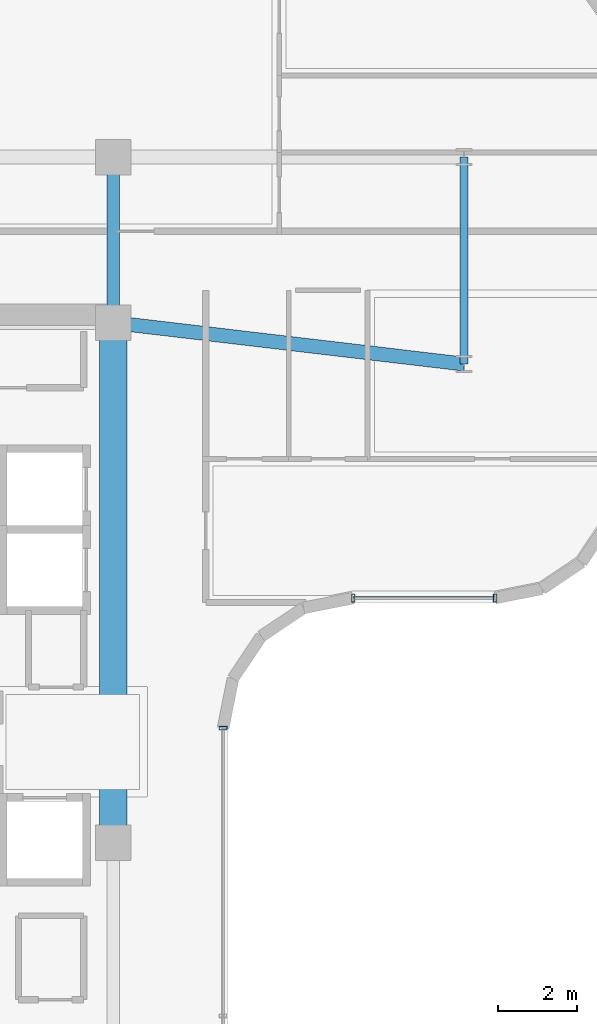
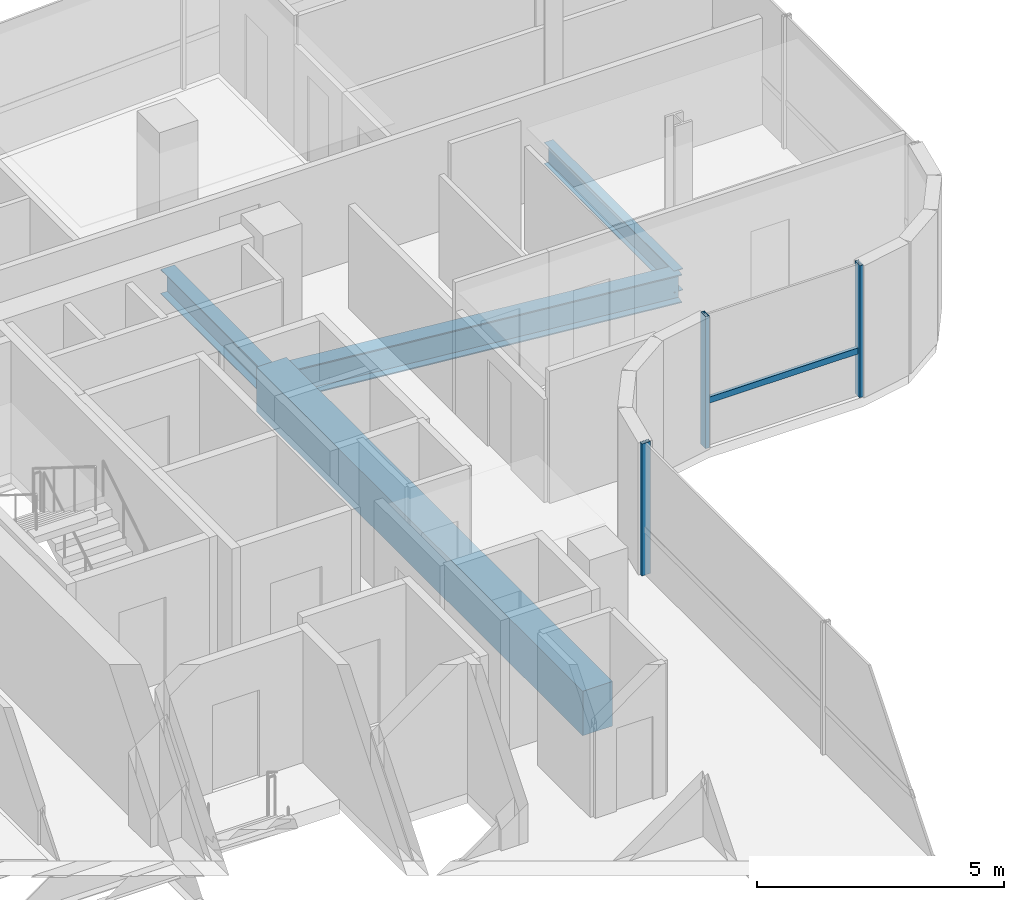
# One storey, part 10 of 23: 4 beams, 4 members, 2 elements without a shape of their own.
"""IFC4 building model written with IfcOpenShell, lengths in metres."""

from ifc_helpers import new_model, si_unit, direction, frame, origin, origin_2d, place, context, subcontext, project, spatial, rectangle, hollow_rectangle, i_section, extrude, source, transform, mapped, material, material_profile, profile_set, type_object, element, aggregate, save


model = new_model("IFC4")

# Units and contexts
model_context = context("Model", 3, precision=1e-05, world=origin(), true_north=direction((0.0, 1.0)))
body_context = subcontext(model_context, "Body", "Model", "MODEL_VIEW")
ifc_project = project(units=[si_unit("LENGTHUNIT", "METRE"), si_unit("AREAUNIT", "SQUARE_METRE"), si_unit("VOLUMEUNIT", "CUBIC_METRE"), si_unit("PLANEANGLEUNIT", "RADIAN"), si_unit("MASSUNIT", "GRAM", prefix="KILO")], contexts=[model_context])

# Site, building, storey
site_placement = place(None, origin())
site = spatial("IfcSite", under=ifc_project, at=site_placement, CompositionType="ELEMENT")
building_placement = place(site_placement, origin())
building = spatial("IfcBuilding", under=site, at=building_placement, Name="Valdorenza Pilgrim Sanctuary Tower", CompositionType="ELEMENT")
storey_placement = place(building_placement, frame((0.0, 0.0, 226.5)))
storey = spatial("IfcBuildingStorey", under=building, at=storey_placement, Name="L58", CompositionType="ELEMENT", Elevation=226.5)

# Beams
ifc_material_1 = material(Name="Concrete C50/60", Category="concrete")
ifc_material_profile_1 = material_profile(ifc_material_1, rectangle(XDim=0.699951171875, YDim=1.10009765625, at=origin_2d()), Name="RC 1100x700")
ifc_profile_set_1 = profile_set([ifc_material_profile_1], Name="Concrete C50/60")
beam_type_1 = type_object("IfcBeamType", Name="STR-BM-LNT-1100", PredefinedType="LINTEL", material=ifc_profile_set_1)
shared_shape_1 = source(origin(), body_context, "Body", "SweptSolid", [
    extrude(rectangle(XDim=0.699951171875, YDim=1.10009765625, at=origin_2d()), origin(), (0.0, 0.0, 1.0), 13.2001953125),
])
beam_1_placement = place(storey_placement, frame((-12.39990234375, -2.60009765625, -0.590087890625), z_axis=(0.0, 1.0, 0.0), x_axis=(-1.0, 0.0, 0.0)))
element("IfcBeam", 1, at=beam_1_placement, inside=storey, type_object=beam_type_1, Name="L58 Core A Coupling Lintel Girder", PredefinedType="LINTEL", context=body_context, shape_type="MappedRepresentation", body=[
    mapped(shared_shape_1, transform((0.0, 0.0, 0.0), x_axis=(1.0, 0.0, 0.0), y_axis=(0.0, 1.0, 0.0), z_axis=(0.0, 0.0, 1.0), scale=1.0)),
])
ifc_material_2 = material(Name="Steel ASTM A992 Grade 50", Category="steel")
ifc_material_profile_2 = material_profile(ifc_material_2, i_section(OverallWidth=0.323974609375, OverallDepth=0.611083984375, WebThickness=0.0126953125, FlangeThickness=0.01904296875, at=origin_2d()), Name="W24X104")
ifc_profile_set_2 = profile_set([ifc_material_profile_2], Name="Steel ASTM A992 Grade 50")
beam_type_2 = type_object("IfcBeamType", Name="STR-BM-GRD-W24B", PredefinedType="BEAM", material=ifc_profile_set_2)
shared_shape_2 = source(origin(), body_context, "Body", "SweptSolid", [
    extrude(i_section(OverallWidth=0.323974609375, OverallDepth=0.611083984375, WebThickness=0.0126953125, FlangeThickness=0.01904296875, at=origin_2d()), origin(), (0.0, 0.0, 1.0), 4.199951171875),
])
beam_2_placement = place(storey_placement, frame((-12.39990234375, 10.60009765625, -0.54541015625), z_axis=(0.0, 1.0, 0.0), x_axis=(-1.0, 0.0, 0.0)))
element("IfcBeam", 2, at=beam_2_placement, inside=storey, type_object=beam_type_2, Name="L58 Core Tie Girder CA-E-N1N2", PredefinedType="BEAM", context=body_context, shape_type="MappedRepresentation", body=[
    mapped(shared_shape_2, transform((0.0, 0.0, 0.0), x_axis=(1.0, 0.0, 0.0), y_axis=(0.0, 1.0, 0.0), z_axis=(0.0, 0.0, 1.0), scale=1.0)),
])
ifc_material_profile_3 = material_profile(ifc_material_2, i_section(OverallWidth=0.2109375, OverallDepth=0.5390625, WebThickness=0.01171875, FlangeThickness=0.018798828125, at=origin_2d()), Name="W21X73")
ifc_profile_set_3 = profile_set([ifc_material_profile_3], Name="Steel ASTM A992 Grade 50")
beam_type_3 = type_object("IfcBeamType", Name="STR-BM-SPN-W21B", PredefinedType="SPANDREL", material=ifc_profile_set_3)
shared_shape_3 = source(origin(), body_context, "Body", "SweptSolid", [
    extrude(i_section(OverallWidth=0.2109375, OverallDepth=0.5390625, WebThickness=0.01171875, FlangeThickness=0.018798828125, at=origin_2d()), origin(), (0.0, 0.0, 1.0), 5.25),
])
beam_3_placement = place(storey_placement, frame((-3.5, 9.550048828125, -0.509521484375), z_axis=(0.0, 1.0, 0.0), x_axis=(-1.0, 0.0, 0.0)))
element("IfcBeam", 3, at=beam_3_placement, inside=storey, type_object=beam_type_3, Name="L58 Floor Girder UWA-KTIE", PredefinedType="SPANDREL", context=body_context, shape_type="MappedRepresentation", body=[
    mapped(shared_shape_3, transform((0.0, 0.0, 0.0), x_axis=(1.0, 0.0, 0.0), y_axis=(0.0, 1.0, 0.0), z_axis=(0.0, 0.0, 1.0), scale=1.0)),
])
ifc_material_profile_4 = material_profile(ifc_material_2, i_section(OverallWidth=0.35595703125, OverallDepth=0.700927734375, WebThickness=0.016845703125, FlangeThickness=0.02734375, at=origin_2d()), Name="W27X161")
ifc_profile_set_4 = profile_set([ifc_material_profile_4], Name="Steel ASTM A992 Grade 50")
beam_type_4 = type_object("IfcBeamType", Name="STR-BM-GRD-W27", PredefinedType="BEAM", material=ifc_profile_set_4)
shared_shape_4 = source(origin(), body_context, "Body", "SweptSolid", [
    extrude(i_section(OverallWidth=0.35595703125, OverallDepth=0.700927734375, WebThickness=0.016845703125, FlangeThickness=0.02734375, at=origin_2d()), origin(), (0.0, 0.0, 1.0), 8.961669921875),
])
beam_4_placement = place(storey_placement, frame((-12.39990234375, 10.60009765625, -0.590576171875), z_axis=(0.993111684121, -0.117171595803, 0.0), x_axis=(0.117171595803, 0.993111684121, 0.0)))
element("IfcBeam", 4, at=beam_4_placement, inside=storey, type_object=beam_type_4, Name="L58 Floor Girder UWA-KG1", PredefinedType="BEAM", context=body_context, shape_type="MappedRepresentation", body=[
    mapped(shared_shape_4, transform((0.0, 0.0, 0.0), x_axis=(1.0, 0.0, 0.0), y_axis=(0.0, 1.0, 0.0), z_axis=(0.0, 0.0, 1.0), scale=1.0)),
])

# Curtain wall, members
ifc_material_3 = material(Name="Curtain-wall IGU glazing", Category="glass")
curtain_wall_type = type_object("IfcCurtainWallType", Name="CW-SYS-02", PredefinedType="NOTDEFINED", material=ifc_material_3)
curtain_wall_1_placement = place(storey_placement, origin())
curtain_wall_1 = element("IfcCurtainWall", 5, at=curtain_wall_1_placement, inside=storey, type_object=curtain_wall_type, Name="L58 Curtain Wall CW-L58-1-16", PredefinedType="NOTDEFINED")
ifc_material_4 = material(Name="Anodised aluminium AW-6060", Category="aluminium")
ifc_material_profile_5 = material_profile(ifc_material_4, hollow_rectangle(XDim=0.074951171875, YDim=0.14990234375, WallThickness=0.00390625, at=origin_2d()), Name="ALU-T 150x75x4")
ifc_profile_set_5 = profile_set([ifc_material_profile_5], Name="Anodised aluminium AW-6060")
member_type_1 = type_object("IfcMemberType", Name="CW-TRN-02", PredefinedType="USERDEFINED", material=ifc_profile_set_5)
shared_shape_5 = source(origin(), body_context, "Body", "SweptSolid", [
    extrude(hollow_rectangle(XDim=0.074951171875, YDim=0.14990234375, WallThickness=0.00390625, at=origin_2d()), origin(), (0.0, 0.0, 1.0), 3.60009765625),
])
member_1_placement = place(storey_placement, frame((-2.710693359375, 3.610107421875, 1.1201171875), z_axis=(-1.0, 0.0, 0.0), x_axis=(0.0, -1.0, 0.0)))
member_1 = element("IfcMember", 6, at=member_1_placement, type_object=member_type_1, Name="CW-L58-1-16 Transom 1", ObjectType="TRANSOM", PredefinedType="USERDEFINED", context=body_context, shape_type="MappedRepresentation", body=[
    mapped(shared_shape_5, transform((0.0, 0.0, 0.0), x_axis=(1.0, 0.0, 0.0), y_axis=(0.0, 1.0, 0.0), z_axis=(0.0, 0.0, 1.0), scale=1.0)),
])
ifc_material_profile_6 = material_profile(ifc_material_4, hollow_rectangle(XDim=0.0849609375, YDim=0.199951171875, WallThickness=0.0048828125, at=origin_2d()), Name="ALU-M 200x85x5")
ifc_profile_set_6 = profile_set([ifc_material_profile_6], Name="Anodised aluminium AW-6060")
member_type_2 = type_object("IfcMemberType", Name="CW-MUL-02", PredefinedType="MULLION", material=ifc_profile_set_6)
shared_shape_6 = source(origin(), body_context, "Body", "SweptSolid", [
    extrude(hollow_rectangle(XDim=0.0849609375, YDim=0.199951171875, WallThickness=0.0048828125, at=origin_2d()), origin(), (0.0, 0.0, 1.0), 3.260009765625),
])
member_2_placement = place(storey_placement, frame((-2.710693359375, 3.610107421875, 0.0), z_axis=(0.0, 0.0, 1.0), x_axis=(-1.0, 0.0, 0.0)))
member_2 = element("IfcMember", 7, at=member_2_placement, type_object=member_type_2, Name="CW-L58-1-16 Mullion 1", PredefinedType="MULLION", context=body_context, shape_type="MappedRepresentation", body=[
    mapped(shared_shape_6, transform((0.0, 0.0, 0.0), x_axis=(1.0, 0.0, 0.0), y_axis=(0.0, 1.0, 0.0), z_axis=(0.0, 0.0, 1.0), scale=1.0)),
])
member_3_placement = place(storey_placement, frame((-6.310791015625, 3.610107421875, 0.0), z_axis=(0.0, 0.0, 1.0), x_axis=(-1.0, 0.0, 0.0)))
member_3 = element("IfcMember", 8, at=member_3_placement, type_object=member_type_2, Name="CW-L58-1-16 Mullion 2", PredefinedType="MULLION", context=body_context, shape_type="MappedRepresentation", body=[
    mapped(shared_shape_6, transform((0.0, 0.0, 0.0), x_axis=(1.0, 0.0, 0.0), y_axis=(0.0, 1.0, 0.0), z_axis=(0.0, 0.0, 1.0), scale=1.0)),
])
aggregate(curtain_wall_1, [member_2, member_3, member_1])

# Curtain wall, member
curtain_wall_2_placement = place(storey_placement, origin())
curtain_wall_2 = element("IfcCurtainWall", 9, at=curtain_wall_2_placement, inside=storey, type_object=curtain_wall_type, Name="L58 Curtain Wall CW-L58-1-21", PredefinedType="NOTDEFINED")
member_4_placement = place(storey_placement, frame((-9.610107421875, 0.310791015625, 0.0), z_axis=(0.0, 0.0, 1.0), x_axis=(0.0, -1.0, 0.0)))
member_4 = element("IfcMember", 10, at=member_4_placement, type_object=member_type_2, Name="CW-L58-1-21 Mullion 1", PredefinedType="MULLION", context=body_context, shape_type="MappedRepresentation", body=[
    mapped(shared_shape_6, transform((0.0, 0.0, 0.0), x_axis=(1.0, 0.0, 0.0), y_axis=(0.0, 1.0, 0.0), z_axis=(0.0, 0.0, 1.0), scale=1.0)),
])
aggregate(curtain_wall_2, [member_4])

save(model, "model.ifc")
